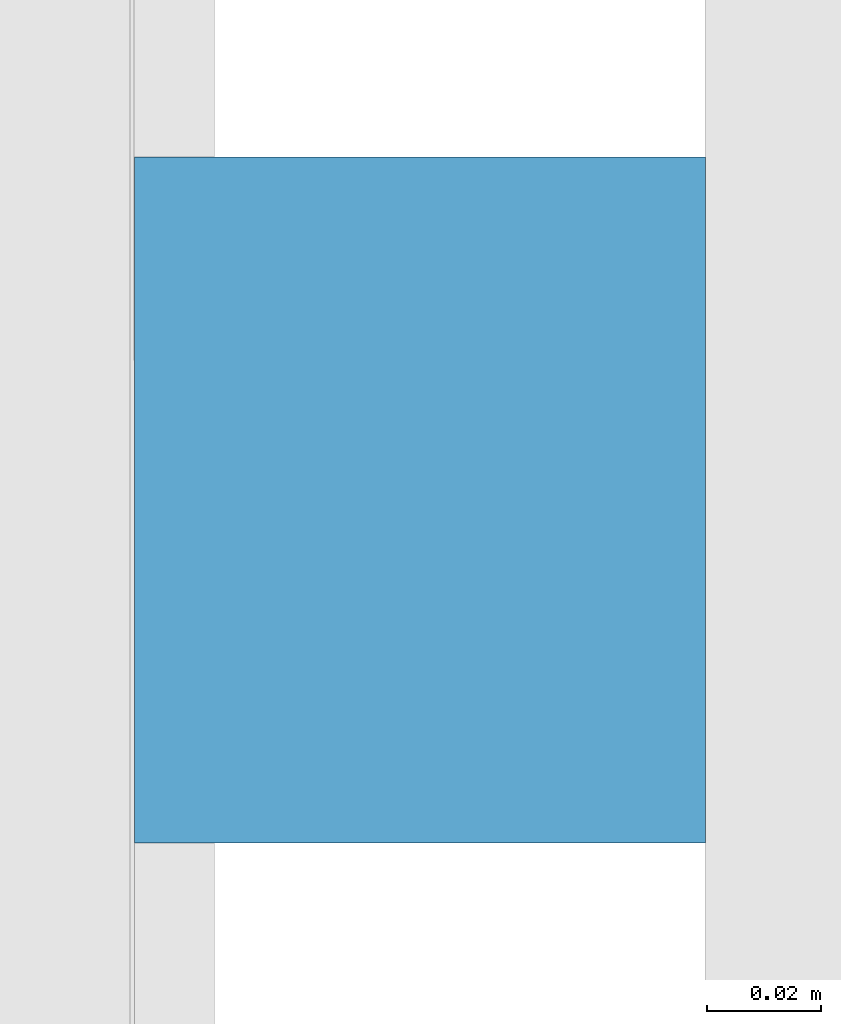
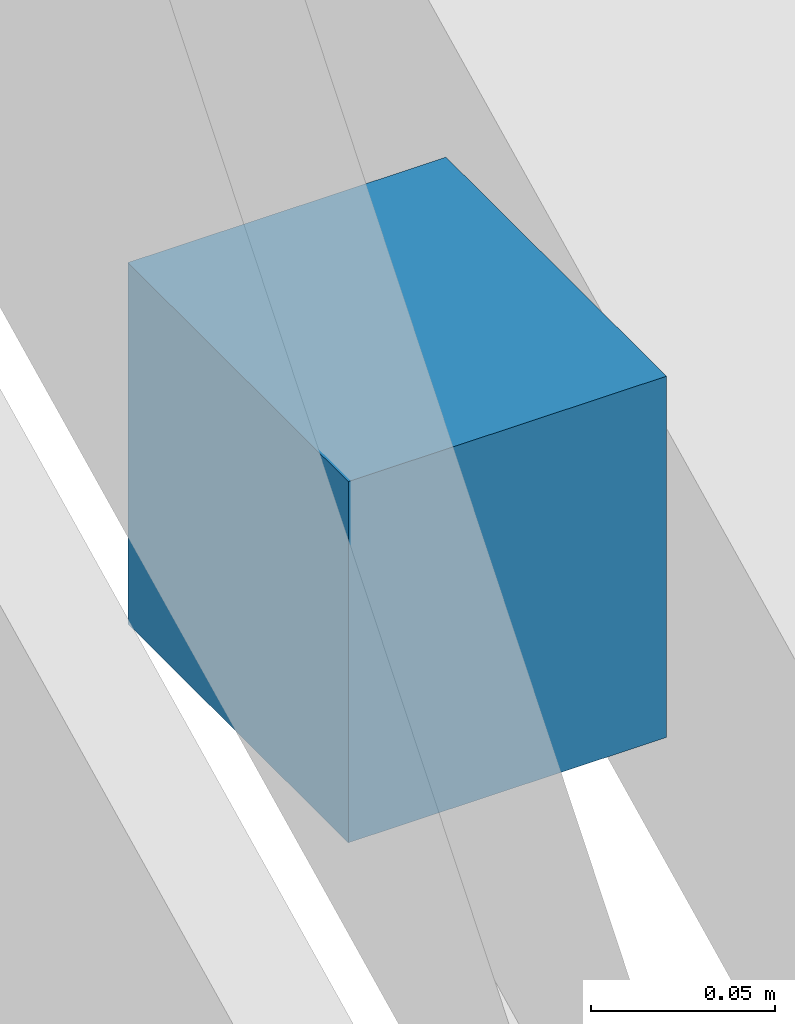
# One storey, part 21 of 22: 1 discrete accessory.
"""IFC4 building model written with IfcOpenShell, lengths in metres."""

from ifc_helpers import new_model, si_unit, direction, frame, origin, origin_2d, place, context, subcontext, project, spatial, rectangle, extrude, material, type_object, element, save


model = new_model("IFC4")

# Units and contexts
model_context = context("Model", 3, precision=1e-05, world=origin(), true_north=direction((0.0, 1.0)))
body_context = subcontext(model_context, "Body", "Model", "MODEL_VIEW")
ifc_project = project(units=[si_unit("LENGTHUNIT", "METRE"), si_unit("AREAUNIT", "SQUARE_METRE"), si_unit("VOLUMEUNIT", "CUBIC_METRE"), si_unit("PLANEANGLEUNIT", "RADIAN"), si_unit("MASSUNIT", "GRAM", prefix="KILO")], contexts=[model_context])

# Site, building, storey
site_placement = place(None, origin())
site = spatial("IfcSite", under=ifc_project, at=site_placement, CompositionType="ELEMENT")
building_placement = place(site_placement, origin())
building = spatial("IfcBuilding", under=site, at=building_placement, Name="Crosswind Convention Tower", CompositionType="ELEMENT")
storey_placement = place(building_placement, frame((0.0, 0.0, 150.5)))
storey = spatial("IfcBuildingStorey", under=building, at=storey_placement, Name="L31", CompositionType="ELEMENT", Elevation=150.5)

# Discrete accessory
ifc_material = material(Name="Stainless steel", Category="steel")
discrete_accessory_type = type_object("IfcDiscreteAccessoryType", Name="BAGUETTE BRACKET BK3", PredefinedType="BRACKET", material=ifc_material)
discrete_accessory_placement = place(storey_placement, frame((161.72607421875, 91.767578125, 1.704833984375), z_axis=(0.0, 0.0, 1.0), x_axis=(0.0, 1.0, 0.0)))
element("IfcDiscreteAccessory", 1, at=discrete_accessory_placement, inside=storey, type_object=discrete_accessory_type, Name="BK3 baguette bracket", PredefinedType="BRACKET", context=body_context, shape_type="SweptSolid", body=[
    extrude(rectangle(XDim=0.1201171875, YDim=0.10009765625, at=origin_2d()), origin(), (0.0, 0.0, 1.0), 0.1201171875),
])

save(model, "model.ifc")
